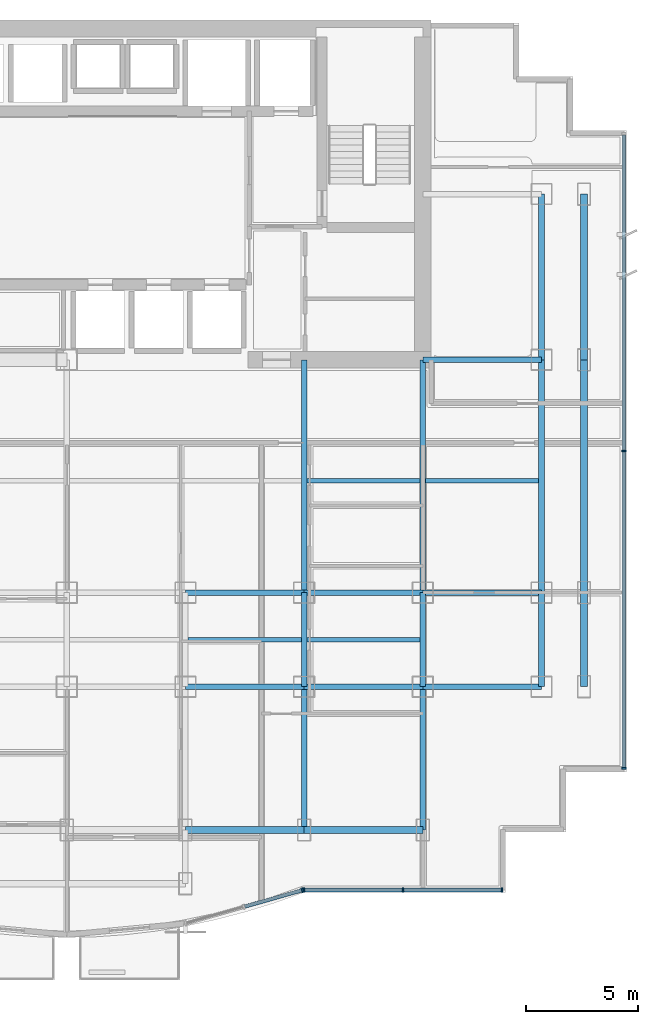
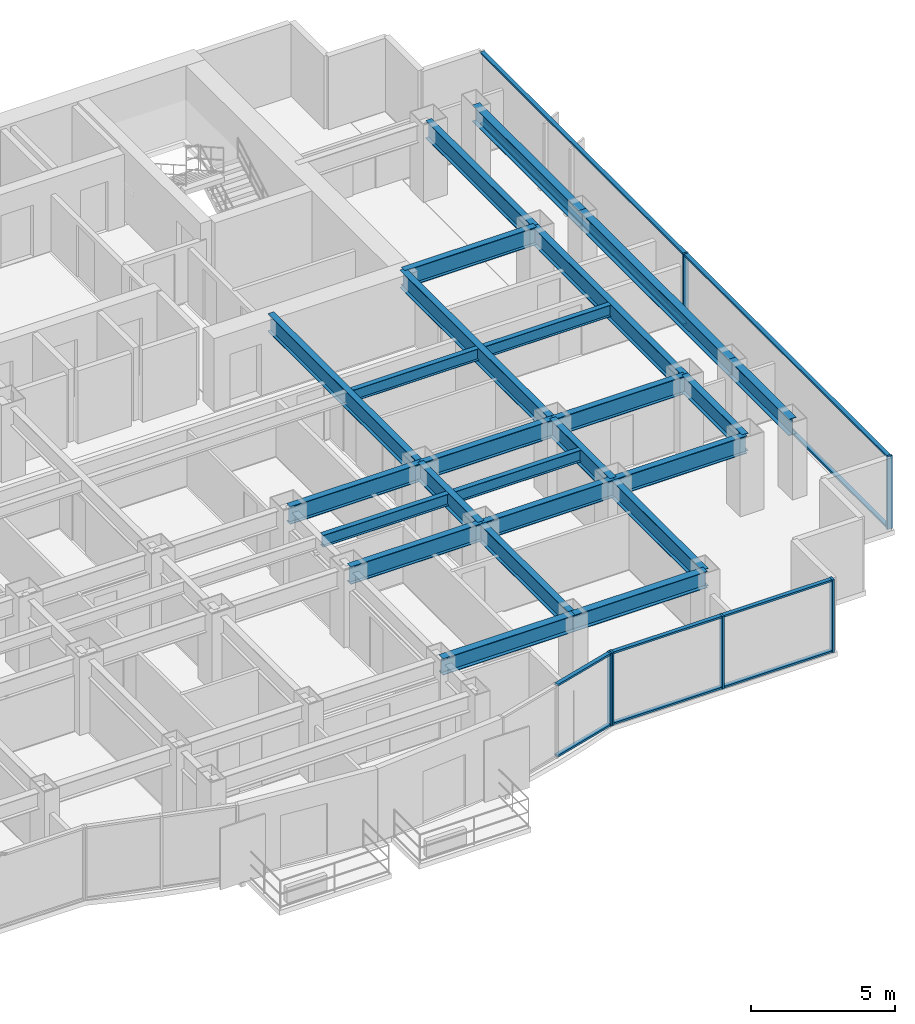
# One storey, part 3 of 12: 25 beams, 16 members, 3 elements without a shape of their own.
"""IFC4 building model written with IfcOpenShell, lengths in metres."""

import ifcopenshell
import ifcopenshell.guid

model = None  # the IFC model being written
_history = None  # IfcOwnerHistory: only IFC2X3 demands one
_inside = {}  # id of a spatial element -> (the spatial element, [elements in it])
_under = {}  # id of a project, library or spatial element -> (it, [spatial elements below it])
_declared = {}  # id of a project -> (the project, [libraries it declares])
_typed = {}  # id of a type object -> (the type object, [elements of that type])
_made_of = {}  # id of a material, layer set ... -> (it, [elements and type objects made of it])


def new_model(schema):
    """Start an empty IFC model of exactly this schema.

    Asked for "IFC4X3", IfcOpenShell would pick the latest addendum, in which some entities
    have other attributes; the version numbers below select the first issue.
    IFC2X3 requires an IfcOwnerHistory on every rooted entity: one is made here for all.
    """
    global model, _history
    if schema == "IFC4X3":
        model = ifcopenshell.file(schema_version=(4, 3, 0, 0))
    else:
        model = ifcopenshell.file(schema=schema)
    _inside.clear()
    _under.clear()
    _declared.clear()
    _typed.clear()
    _made_of.clear()
    _history = None
    if model.schema == "IFC2X3":
        org = make("IfcOrganization", Name="unknown")
        user = make(
            "IfcPersonAndOrganization",
            ThePerson=make("IfcPerson", FamilyName="unknown"),
            TheOrganization=org,
        )
        app = make(
            "IfcApplication",
            ApplicationDeveloper=org,
            Version="unknown",
            ApplicationFullName="unknown",
            ApplicationIdentifier="unknown",
        )
        _history = make(
            "IfcOwnerHistory",
            OwningUser=user,
            OwningApplication=app,
            ChangeAction="ADDED",
            CreationDate=0,
        )
    return model


def make(cls, **values):
    """One entity of the class cls with the attributes given. An attribute that is None is left unset."""
    return model.create_entity(
        cls, **{name: value for name, value in values.items() if value is not None}
    )


def rooted(cls, **values):
    """An entity with a GlobalId (a new one), such as an element, a storey or a relation."""
    return make(cls, GlobalId=ifcopenshell.guid.new(), OwnerHistory=_history, **values)


def si_unit(unit_type, name, prefix=None):
    """IfcSIUnit, for example si_unit("LENGTHUNIT", "METRE", prefix="MILLI")."""
    return make("IfcSIUnit", UnitType=unit_type, Prefix=prefix, Name=name)


def assignment(units):
    """IfcUnitAssignment: the units of a project."""
    return None if units is None else make("IfcUnitAssignment", Units=units)


def point(xyz):
    """IfcCartesianPoint."""
    return None if xyz is None else make("IfcCartesianPoint", Coordinates=xyz)


def direction(xyz):
    """IfcDirection."""
    return None if xyz is None else make("IfcDirection", DirectionRatios=xyz)


def frame(location, z_axis=None, x_axis=None):
    """IfcAxis2Placement3D, a coordinate frame: its origin and axes. An axis left out is left unset."""
    return make(
        "IfcAxis2Placement3D",
        Location=point(location),
        Axis=direction(z_axis),
        RefDirection=direction(x_axis),
    )


def frame_2d(location, x_axis=None):
    """IfcAxis2Placement2D, a coordinate frame in the plane: its origin and x axis."""
    return make(
        "IfcAxis2Placement2D", Location=point(location), RefDirection=direction(x_axis)
    )


def origin():
    """The frame at (0, 0, 0) with its axes left unset."""
    return frame((0.0, 0.0, 0.0))


def origin_2d():
    """The frame at (0, 0) in the plane with its x axis left unset."""
    return frame_2d((0.0, 0.0))


def place(relative_to, where):
    """IfcLocalPlacement: puts the frame where relative to a parent placement (None: the world)."""
    return make(
        "IfcLocalPlacement", PlacementRelTo=relative_to, RelativePlacement=where
    )


def context(
    kind, dimensions, precision=None, world=None, true_north=None, identifier=None
):
    """IfcGeometricRepresentationContext, for example the 3D "Model" context."""
    return make(
        "IfcGeometricRepresentationContext",
        ContextIdentifier=identifier,
        ContextType=kind,
        CoordinateSpaceDimension=dimensions,
        Precision=precision,
        WorldCoordinateSystem=world,
        TrueNorth=true_north,
    )


def subcontext(parent, identifier, kind, view, scale=None):
    """IfcGeometricRepresentationSubContext, for example "Body" below "Model"."""
    return make(
        "IfcGeometricRepresentationSubContext",
        ContextIdentifier=identifier,
        ContextType=kind,
        ParentContext=parent,
        TargetScale=scale,
        TargetView=view,
    )


def project(units=None, contexts=None):
    """IfcProject with its units and contexts."""
    return rooted(
        "IfcProject",
        Name="project",
        RepresentationContexts=contexts,
        UnitsInContext=assignment(units),
    )


def spatial(cls, under=None, at=None, **own):
    """A site, building, storey or space (cls), placed at a placement, below another one or the project."""
    s = rooted(cls, ObjectPlacement=at, **own)
    if under is not None:
        _under.setdefault(under.id(), (under, []))[1].append(s)
    return s


def profile(cls, at=None, kind="AREA", **sizes):
    """A parametric profile (cls). Its sizes go by their IFC names, for example OverallWidth=200.0."""
    return make(cls, ProfileType=kind, Position=at, **sizes)


def rectangle(**sizes):
    """IfcRectangleProfileDef."""
    return profile("IfcRectangleProfileDef", **sizes)


def i_section(**sizes):
    """IfcIShapeProfileDef."""
    return profile("IfcIShapeProfileDef", **sizes)


def extrude(swept, where, along, depth):
    """IfcExtrudedAreaSolid: the profile swept, set in the frame where, extruded along a direction by depth."""
    return make(
        "IfcExtrudedAreaSolid",
        SweptArea=swept,
        Position=where,
        ExtrudedDirection=direction(along),
        Depth=depth,
    )


def shape(context_of_items, identifier, shape_type, items):
    """IfcShapeRepresentation: the items that make up one representation, for example the "Body"."""
    return make(
        "IfcShapeRepresentation",
        ContextOfItems=context_of_items,
        RepresentationIdentifier=identifier,
        RepresentationType=shape_type,
        Items=items,
    )


def source(mapping_origin, context_of_items, identifier, shape_type, items):
    """IfcRepresentationMap: a shape defined once, which mapped items show again and again."""
    return make(
        "IfcRepresentationMap",
        MappingOrigin=mapping_origin,
        MappedRepresentation=shape(context_of_items, identifier, shape_type, items),
    )


def transform(
    local_origin,
    x_axis=None,
    y_axis=None,
    z_axis=None,
    scale=None,
    scale2=None,
    scale3=None,
    uniform=True,
):
    """IfcCartesianTransformationOperator3D, or its non-uniform kind. x_axis, y_axis, z_axis: its Axis1, 2, 3."""
    if uniform:
        return make(
            "IfcCartesianTransformationOperator3D",
            Axis1=direction(x_axis),
            Axis2=direction(y_axis),
            LocalOrigin=point(local_origin),
            Scale=scale,
            Axis3=direction(z_axis),
        )
    return make(
        "IfcCartesianTransformationOperator3DnonUniform",
        Axis1=direction(x_axis),
        Axis2=direction(y_axis),
        LocalOrigin=point(local_origin),
        Scale=scale,
        Axis3=direction(z_axis),
        Scale2=scale2,
        Scale3=scale3,
    )


def mapped(mapping_source, mapping_target):
    """IfcMappedItem: shows the shape of a source again, moved by a transform."""
    return make(
        "IfcMappedItem", MappingSource=mapping_source, MappingTarget=mapping_target
    )


def material(Name=None, Category=None):
    """IfcMaterial."""
    return make("IfcMaterial", Name=Name, Category=Category)


def layer(
    of_material, thickness, ventilated=None, Name=None, Category=None, Priority=None
):
    """IfcMaterialLayer: one layer of a wall or slab, of a material (None: an air gap)."""
    return make(
        "IfcMaterialLayer",
        Material=of_material,
        LayerThickness=thickness,
        IsVentilated=ventilated,
        Name=Name,
        Category=Category,
        Priority=Priority,
    )


def layer_set(layers, Name=None):
    """IfcMaterialLayerSet."""
    return make("IfcMaterialLayerSet", MaterialLayers=layers, LayerSetName=Name)


def material_profile(
    of_material, cross_section, Name=None, Category=None, Priority=None
):
    """IfcMaterialProfile: a cross section and its material."""
    return make(
        "IfcMaterialProfile",
        Name=Name,
        Material=of_material,
        Profile=cross_section,
        Priority=Priority,
        Category=Category,
    )


def profile_set(profiles, Name=None, composite=None):
    """IfcMaterialProfileSet."""
    return make(
        "IfcMaterialProfileSet",
        Name=Name,
        MaterialProfiles=profiles,
        CompositeProfile=composite,
    )


def made_of(thing, what):
    """Note that an element or type object is made of a material, layer set ...; save() writes the relation."""
    if what is not None:
        _made_of.setdefault(what.id(), (what, []))[1].append(thing)
    return thing


def type_object(cls, material=None, **own):
    """A type object (cls), such as IfcWallType, which elements share."""
    return made_of(rooted(cls, **own), material)


def element(
    cls,
    number,
    at=None,
    inside=None,
    cuts=None,
    type_object=None,
    material=None,
    context=None,
    identifier="Body",
    shape_type=None,
    held_by="IfcProductDefinitionShape",
    body=None,
    shapes=None,
    **own,
):
    """One element of the class cls, such as IfcWall. Its Tag is "e" and its number.

    at: its placement. inside: the storey or other place that contains it. cuts: it is an
    opening in that element (IfcRelVoidsElement). A single representation is given by context,
    identifier, shape_type and body (its items); several are given by shapes. held_by: the class
    of the entity that holds the representations. save() writes the other relations.
    """
    e = rooted(cls, Tag="e%d" % number, ObjectPlacement=at, **own)
    if body is not None:
        shapes = [shape(context, identifier, shape_type, body)]
    if shapes is not None:
        e.Representation = make(held_by, Representations=shapes)
    if inside is not None:
        _inside.setdefault(inside.id(), (inside, []))[1].append(e)
    if cuts is not None:
        rooted(
            "IfcRelVoidsElement", RelatingBuildingElement=cuts, RelatedOpeningElement=e
        )
    if type_object is not None:
        _typed.setdefault(type_object.id(), (type_object, []))[1].append(e)
    return made_of(e, material)


def aggregate(whole, parts):
    """IfcRelAggregates: a whole, such as a stair, and the parts it consists of."""
    return rooted("IfcRelAggregates", RelatingObject=whole, RelatedObjects=parts)


def save(model, path):
    """Write the relations noted so far, then the file.

    IfcRelAggregates (storeys below a building ...), IfcRelContainedInSpatialStructure (elements
    in a storey), IfcRelDefinesByType, IfcRelAssociatesMaterial and IfcRelDeclares: one each for
    every whole, place, type object, material and project.
    """
    for whole, parts in _under.values():
        aggregate(whole, parts)
    for where, things in _inside.values():
        rooted(
            "IfcRelContainedInSpatialStructure",
            RelatedElements=things,
            RelatingStructure=where,
        )
    for kind, things in _typed.values():
        rooted("IfcRelDefinesByType", RelatedObjects=things, RelatingType=kind)
    for what, things in _made_of.values():
        rooted("IfcRelAssociatesMaterial", RelatedObjects=things, RelatingMaterial=what)
    for by, libraries in _declared.values():
        rooted("IfcRelDeclares", RelatingContext=by, RelatedDefinitions=libraries)
    model.write(path)


model = new_model("IFC4")

# Units and contexts
model_context = context("Model", 3, precision=1e-05, world=origin(), true_north=direction((0.0, 1.0)))
body_context = subcontext(model_context, "Body", "Model", "MODEL_VIEW")
ifc_project = project(units=[si_unit("LENGTHUNIT", "METRE"), si_unit("AREAUNIT", "SQUARE_METRE"), si_unit("VOLUMEUNIT", "CUBIC_METRE"), si_unit("PLANEANGLEUNIT", "RADIAN"), si_unit("MASSUNIT", "GRAM", prefix="KILO")], contexts=[model_context])

# Site, building, storey
site_placement = place(None, origin())
site = spatial("IfcSite", under=ifc_project, at=site_placement, CompositionType="ELEMENT")
building_placement = place(site_placement, origin())
building = spatial("IfcBuilding", under=site, at=building_placement, Name="Qianlan Lanfeng Residences", CompositionType="ELEMENT")
storey_placement = place(building_placement, frame((0.0, 0.0, 121.300048828125)))
storey = spatial("IfcBuildingStorey", under=building, at=storey_placement, Name="L33", CompositionType="ELEMENT", Elevation=121.300048828125)

# Beams
ifc_material_1 = material(Name="Steel SN490B", Category="steel")
ifc_material_profile_1 = material_profile(ifc_material_1, i_section(OverallWidth=0.25, OverallDepth=0.75, WebThickness=0.013916015625, FlangeThickness=0.02490234375, at=origin_2d()), Name="H 750x250x14x25")
ifc_profile_set_1 = profile_set([ifc_material_profile_1], Name="Steel SN490B")
beam_type_1 = type_object("IfcBeamType", Name="G-850", PredefinedType="BEAM", material=ifc_profile_set_1)
beam_1_placement = place(storey_placement, frame((31.800048828125, 10.60009765625, 2.71484375), z_axis=(1.0, 0.0, 0.0), x_axis=(0.0, 1.0, 0.0)))
element("IfcBeam", 1, at=beam_1_placement, inside=storey, type_object=beam_type_1, Name="Structural beam G-850", PredefinedType="BEAM", context=body_context, shape_type="SweptSolid", body=[
    extrude(i_section(OverallWidth=0.25, OverallDepth=0.75, WebThickness=0.013916015625, FlangeThickness=0.02490234375, at=origin_2d()), origin(), (0.0, 0.0, 1.0), 5.300048828125),
])
beam_2_placement = place(storey_placement, frame((37.10009765625, 10.60009765625, 2.71484375), z_axis=(1.0, 0.0, 0.0), x_axis=(0.0, 1.0, 0.0)))
element("IfcBeam", 2, at=beam_2_placement, inside=storey, type_object=beam_type_1, Name="Structural beam G-850", PredefinedType="BEAM", context=body_context, shape_type="SweptSolid", body=[
    extrude(i_section(OverallWidth=0.25, OverallDepth=0.75, WebThickness=0.013916015625, FlangeThickness=0.02490234375, at=origin_2d()), origin(), (0.0, 0.0, 1.0), 5.2998046875),
])
for number, where, z_axis, x_axis, name in (
    (3, (42.39990234375, 10.60009765625, 2.71484375), (1.0, 0.0, 0.0), (0.0, 1.0, 0.0), "Structural beam G-850"),
    (4, (31.800048828125, 14.800048828125, 2.71484375), (1.0, 0.0, 0.0), (0.0, 1.0, 0.0), "Structural beam G-850"),
):
    element("IfcBeam", number, at=place(storey_placement, frame(where, z_axis=z_axis, x_axis=x_axis)), inside=storey, type_object=beam_type_1, Name=name, PredefinedType="BEAM", context=body_context, shape_type="SweptSolid", body=[
        extrude(i_section(OverallWidth=0.25, OverallDepth=0.75, WebThickness=0.013916015625, FlangeThickness=0.02490234375, at=origin_2d()), origin(), (0.0, 0.0, 1.0), 5.300048828125),
    ])
beam_3_placement = place(storey_placement, frame((37.10009765625, 14.800048828125, 2.71484375), z_axis=(1.0, 0.0, 0.0), x_axis=(0.0, 1.0, 0.0)))
element("IfcBeam", 5, at=beam_3_placement, inside=storey, type_object=beam_type_1, Name="Structural beam G-850", PredefinedType="BEAM", context=body_context, shape_type="SweptSolid", body=[
    extrude(i_section(OverallWidth=0.25, OverallDepth=0.75, WebThickness=0.013916015625, FlangeThickness=0.02490234375, at=origin_2d()), origin(), (0.0, 0.0, 1.0), 5.2998046875),
])
for number, where, z_axis, x_axis, name in (
    (6, (42.39990234375, 14.800048828125, 2.71484375), (1.0, 0.0, 0.0), (0.0, 1.0, 0.0), "Structural beam G-850"),
    (7, (42.39990234375, 25.199951171875, 2.71484375), (1.0, 0.0, 0.0), (0.0, 1.0, 0.0), "Structural beam G-850"),
):
    element("IfcBeam", number, at=place(storey_placement, frame(where, z_axis=z_axis, x_axis=x_axis)), inside=storey, type_object=beam_type_1, Name=name, PredefinedType="BEAM", context=body_context, shape_type="SweptSolid", body=[
        extrude(i_section(OverallWidth=0.25, OverallDepth=0.75, WebThickness=0.013916015625, FlangeThickness=0.02490234375, at=origin_2d()), origin(), (0.0, 0.0, 1.0), 5.300048828125),
    ])
beam_4_placement = place(storey_placement, frame((37.10009765625, 4.199951171875, 2.71484375), z_axis=(0.0, 1.0, 0.0), x_axis=(-1.0, 0.0, 0.0)))
element("IfcBeam", 8, at=beam_4_placement, inside=storey, type_object=beam_type_1, Name="Structural beam G-850", PredefinedType="BEAM", context=body_context, shape_type="SweptSolid", body=[
    extrude(i_section(OverallWidth=0.25, OverallDepth=0.75, WebThickness=0.013916015625, FlangeThickness=0.02490234375, at=origin_2d()), origin(), (0.0, 0.0, 1.0), 6.400146484375),
])
beam_5_placement = place(storey_placement, frame((37.10009765625, 10.60009765625, 2.71484375), z_axis=(0.0, 1.0, 0.0), x_axis=(-1.0, 0.0, 0.0)))
element("IfcBeam", 9, at=beam_5_placement, inside=storey, type_object=beam_type_1, Name="Structural beam G-850", PredefinedType="BEAM", context=body_context, shape_type="SweptSolid", body=[
    extrude(i_section(OverallWidth=0.25, OverallDepth=0.75, WebThickness=0.013916015625, FlangeThickness=0.02490234375, at=origin_2d()), origin(), (0.0, 0.0, 1.0), 4.199951171875),
])
beam_6_placement = place(storey_placement, frame((37.10009765625, 14.800048828125, 2.71484375), z_axis=(0.0, 1.0, 0.0), x_axis=(-1.0, 0.0, 0.0)))
element("IfcBeam", 10, at=beam_6_placement, inside=storey, type_object=beam_type_1, Name="Structural beam G-850", PredefinedType="BEAM", context=body_context, shape_type="SweptSolid", body=[
    extrude(i_section(OverallWidth=0.25, OverallDepth=0.75, WebThickness=0.013916015625, FlangeThickness=0.02490234375, at=origin_2d()), origin(), (0.0, 0.0, 1.0), 10.39990234375),
])
beam_7_placement = place(storey_placement, frame((42.39990234375, 4.199951171875, 2.71484375), z_axis=(0.0, 1.0, 0.0), x_axis=(-1.0, 0.0, 0.0)))
element("IfcBeam", 11, at=beam_7_placement, inside=storey, type_object=beam_type_1, Name="Structural beam G-850", PredefinedType="BEAM", context=body_context, shape_type="SweptSolid", body=[
    extrude(i_section(OverallWidth=0.25, OverallDepth=0.75, WebThickness=0.013916015625, FlangeThickness=0.02490234375, at=origin_2d()), origin(), (0.0, 0.0, 1.0), 6.400146484375),
])
beam_8_placement = place(storey_placement, frame((42.39990234375, 10.60009765625, 2.71484375), z_axis=(0.0, 1.0, 0.0), x_axis=(-1.0, 0.0, 0.0)))
element("IfcBeam", 12, at=beam_8_placement, inside=storey, type_object=beam_type_1, Name="Structural beam G-850", PredefinedType="BEAM", context=body_context, shape_type="SweptSolid", body=[
    extrude(i_section(OverallWidth=0.25, OverallDepth=0.75, WebThickness=0.013916015625, FlangeThickness=0.02490234375, at=origin_2d()), origin(), (0.0, 0.0, 1.0), 4.199951171875),
])
beam_9_placement = place(storey_placement, frame((42.39990234375, 14.800048828125, 2.71484375), z_axis=(0.0, 1.0, 0.0), x_axis=(-1.0, 0.0, 0.0)))
element("IfcBeam", 13, at=beam_9_placement, inside=storey, type_object=beam_type_1, Name="Structural beam G-850", PredefinedType="BEAM", context=body_context, shape_type="SweptSolid", body=[
    extrude(i_section(OverallWidth=0.25, OverallDepth=0.75, WebThickness=0.013916015625, FlangeThickness=0.02490234375, at=origin_2d()), origin(), (0.0, 0.0, 1.0), 10.39990234375),
])
beam_10_placement = place(storey_placement, frame((47.699951171875, 10.60009765625, 2.71484375), z_axis=(0.0, 1.0, 0.0), x_axis=(-1.0, 0.0, 0.0)))
element("IfcBeam", 14, at=beam_10_placement, inside=storey, type_object=beam_type_1, Name="Structural beam G-850", PredefinedType="BEAM", context=body_context, shape_type="SweptSolid", body=[
    extrude(i_section(OverallWidth=0.25, OverallDepth=0.75, WebThickness=0.013916015625, FlangeThickness=0.02490234375, at=origin_2d()), origin(), (0.0, 0.0, 1.0), 4.199951171875),
])
beam_11_placement = place(storey_placement, frame((47.699951171875, 14.800048828125, 2.71484375), z_axis=(0.0, 1.0, 0.0), x_axis=(-1.0, 0.0, 0.0)))
element("IfcBeam", 15, at=beam_11_placement, inside=storey, type_object=beam_type_1, Name="Structural beam G-850", PredefinedType="BEAM", context=body_context, shape_type="SweptSolid", body=[
    extrude(i_section(OverallWidth=0.25, OverallDepth=0.75, WebThickness=0.013916015625, FlangeThickness=0.02490234375, at=origin_2d()), origin(), (0.0, 0.0, 1.0), 10.39990234375),
])
beam_12_placement = place(storey_placement, frame((47.699951171875, 25.199951171875, 2.71484375), z_axis=(0.0, 1.0, 0.0), x_axis=(-1.0, 0.0, 0.0)))
element("IfcBeam", 16, at=beam_12_placement, inside=storey, type_object=beam_type_1, Name="Structural beam G-850", PredefinedType="BEAM", context=body_context, shape_type="SweptSolid", body=[
    extrude(i_section(OverallWidth=0.25, OverallDepth=0.75, WebThickness=0.013916015625, FlangeThickness=0.02490234375, at=origin_2d()), origin(), (0.0, 0.0, 1.0), 7.400146484375),
])
ifc_material_profile_2 = material_profile(ifc_material_1, i_section(OverallWidth=0.199951171875, OverallDepth=0.5, WebThickness=0.010009765625, FlangeThickness=0.01611328125, at=origin_2d()), Name="H 500x200x10x16")
ifc_profile_set_2 = profile_set([ifc_material_profile_2], Name="Steel SN490B")
beam_type_2 = type_object("IfcBeamType", Name="J-500", PredefinedType="JOIST", material=ifc_profile_set_2)
beam_13_placement = place(storey_placement, frame((31.925048828125, 12.699951171875, 2.83984375), z_axis=(1.0, 0.0, 0.0), x_axis=(0.0, 1.0, 0.0)))
element("IfcBeam", 17, at=beam_13_placement, inside=storey, type_object=beam_type_2, Name="Structural beam J-500", PredefinedType="JOIST", context=body_context, shape_type="SweptSolid", body=[
    extrude(i_section(OverallWidth=0.199951171875, OverallDepth=0.5, WebThickness=0.010009765625, FlangeThickness=0.01611328125, at=origin_2d()), origin(), (0.0, 0.0, 1.0), 5.050048828125),
])
for number, where, z_axis, x_axis, name in (
    (18, (37.22509765625, 12.699951171875, 2.83984375), (1.0, 0.0, 0.0), (0.0, 1.0, 0.0), "Structural beam J-500"),
    (19, (37.22509765625, 19.800048828125, 2.83984375), (1.0, 0.0, 0.0), (0.0, 1.0, 0.0), "Structural beam J-500"),
):
    element("IfcBeam", number, at=place(storey_placement, frame(where, z_axis=z_axis, x_axis=x_axis)), inside=storey, type_object=beam_type_2, Name=name, PredefinedType="JOIST", context=body_context, shape_type="SweptSolid", body=[
        extrude(i_section(OverallWidth=0.199951171875, OverallDepth=0.5, WebThickness=0.010009765625, FlangeThickness=0.01611328125, at=origin_2d()), origin(), (0.0, 0.0, 1.0), 5.0498046875),
    ])
beam_14_placement = place(storey_placement, frame((42.52490234375, 19.800048828125, 2.83984375), z_axis=(1.0, 0.0, 0.0), x_axis=(0.0, 1.0, 0.0)))
element("IfcBeam", 20, at=beam_14_placement, inside=storey, type_object=beam_type_2, Name="Structural beam J-500", PredefinedType="JOIST", context=body_context, shape_type="SweptSolid", body=[
    extrude(i_section(OverallWidth=0.199951171875, OverallDepth=0.5, WebThickness=0.010009765625, FlangeThickness=0.01611328125, at=origin_2d()), origin(), (0.0, 0.0, 1.0), 5.050048828125),
])
ifc_material_profile_3 = material_profile(ifc_material_1, i_section(OverallWidth=0.300048828125, OverallDepth=0.699951171875, WebThickness=0.012939453125, FlangeThickness=0.02392578125, at=origin_2d()), Name="H 700x300x13x24")
ifc_profile_set_3 = profile_set([ifc_material_profile_3], Name="Steel SN490B")
beam_type_3 = type_object("IfcBeamType", Name="SG-750", PredefinedType="SPANDREL", material=ifc_profile_set_3)
beam_15_placement = place(storey_placement, frame((31.800048828125, 4.199951171875, 2.739990234375), z_axis=(1.0, 0.0, 0.0), x_axis=(0.0, 1.0, 0.0)))
element("IfcBeam", 21, at=beam_15_placement, inside=storey, type_object=beam_type_3, Name="Structural beam SG-750", PredefinedType="SPANDREL", context=body_context, shape_type="SweptSolid", body=[
    extrude(i_section(OverallWidth=0.300048828125, OverallDepth=0.699951171875, WebThickness=0.012939453125, FlangeThickness=0.02392578125, at=origin_2d()), origin(), (0.0, 0.0, 1.0), 5.300048828125),
])
beam_16_placement = place(storey_placement, frame((37.10009765625, 4.199951171875, 2.739990234375), z_axis=(1.0, 0.0, 0.0), x_axis=(0.0, 1.0, 0.0)))
element("IfcBeam", 22, at=beam_16_placement, inside=storey, type_object=beam_type_3, Name="Structural beam SG-750", PredefinedType="SPANDREL", context=body_context, shape_type="SweptSolid", body=[
    extrude(i_section(OverallWidth=0.300048828125, OverallDepth=0.699951171875, WebThickness=0.012939453125, FlangeThickness=0.02392578125, at=origin_2d()), origin(), (0.0, 0.0, 1.0), 5.2998046875),
])
beam_17_placement = place(storey_placement, frame((49.60009765625, 10.60009765625, 2.739990234375), z_axis=(0.0, 1.0, 0.0), x_axis=(-1.0, 0.0, 0.0)))
element("IfcBeam", 23, at=beam_17_placement, inside=storey, type_object=beam_type_3, Name="Structural beam SG-750", PredefinedType="SPANDREL", context=body_context, shape_type="SweptSolid", body=[
    extrude(i_section(OverallWidth=0.300048828125, OverallDepth=0.699951171875, WebThickness=0.012939453125, FlangeThickness=0.02392578125, at=origin_2d()), origin(), (0.0, 0.0, 1.0), 4.199951171875),
])
beam_18_placement = place(storey_placement, frame((49.60009765625, 14.800048828125, 2.739990234375), z_axis=(0.0, 1.0, 0.0), x_axis=(-1.0, 0.0, 0.0)))
element("IfcBeam", 24, at=beam_18_placement, inside=storey, type_object=beam_type_3, Name="Structural beam SG-750", PredefinedType="SPANDREL", context=body_context, shape_type="SweptSolid", body=[
    extrude(i_section(OverallWidth=0.300048828125, OverallDepth=0.699951171875, WebThickness=0.012939453125, FlangeThickness=0.02392578125, at=origin_2d()), origin(), (0.0, 0.0, 1.0), 10.39990234375),
])
beam_19_placement = place(storey_placement, frame((49.60009765625, 25.199951171875, 2.739990234375), z_axis=(0.0, 1.0, 0.0), x_axis=(-1.0, 0.0, 0.0)))
element("IfcBeam", 25, at=beam_19_placement, inside=storey, type_object=beam_type_3, Name="Structural beam SG-750", PredefinedType="SPANDREL", context=body_context, shape_type="SweptSolid", body=[
    extrude(i_section(OverallWidth=0.300048828125, OverallDepth=0.699951171875, WebThickness=0.012939453125, FlangeThickness=0.02392578125, at=origin_2d()), origin(), (0.0, 0.0, 1.0), 7.400146484375),
])

# Curtain wall, members
ifc_material_2 = material(Name="Anodised Bronze Aluminium 6063-T6", Category="aluminium")
ifc_layer = layer(ifc_material_2, 0.219970703125)
ifc_layer_set = layer_set([ifc_layer], Name="Anodised Bronze Aluminium 6063-T6")
curtain_wall_type = type_object("IfcCurtainWallType", Name="CW-03", PredefinedType="NOTDEFINED", material=ifc_layer_set)
curtain_wall_1_placement = place(storey_placement, origin())
curtain_wall_1 = element("IfcCurtainWall", 26, at=curtain_wall_1_placement, inside=storey, type_object=curtain_wall_type, Name="L33 Unitised Curtain Wall CWR-L33-04 (CW-03)", PredefinedType="NOTDEFINED")
ifc_material_profile_4 = material_profile(ifc_material_2, rectangle(XDim=0.080078125, YDim=0.159912109375, at=origin_2d()), Name="ALU TRANSOM 80x160")
ifc_profile_set_4 = profile_set([ifc_material_profile_4], Name="Anodised Bronze Aluminium 6063-T6")
member_type_1 = type_object("IfcMemberType", Name="CWT-180", PredefinedType="USERDEFINED", material=ifc_profile_set_4)
shared_shape_1 = source(origin(), body_context, "Body", "SweptSolid", [
    extrude(rectangle(XDim=0.080078125, YDim=0.159912109375, at=origin_2d()), origin(), (0.0, 0.0, 1.0), 4.34033203125),
])
member_1_placement = place(storey_placement, frame((41.5595703125, 1.52001953125, 0.0400390625), z_axis=(1.0, 0.0, 0.0), x_axis=(0.0, 0.0, 1.0)))
member_1 = element("IfcMember", 27, at=member_1_placement, type_object=member_type_1, Name="CWR-L33-04 Transom 2-BOT", ObjectType="TRANSOM", PredefinedType="USERDEFINED", context=body_context, shape_type="MappedRepresentation", body=[
    mapped(shared_shape_1, transform((0.0, 0.0, 0.0), scale=1.0)),
])
member_2_placement = place(storey_placement, frame((41.5595703125, 1.52001953125, 3.050048828125), z_axis=(1.0, 0.0, 0.0), x_axis=(0.0, 0.0, 1.0)))
member_2 = element("IfcMember", 28, at=member_2_placement, type_object=member_type_1, Name="CWR-L33-04 Transom 2-TOP", ObjectType="TRANSOM", PredefinedType="USERDEFINED", context=body_context, shape_type="MappedRepresentation", body=[
    mapped(shared_shape_1, transform((0.0, 0.0, 0.0), scale=1.0)),
])
shared_shape_2 = source(origin(), body_context, "Body", "SweptSolid", [
    extrude(rectangle(XDim=0.080078125, YDim=0.159912109375, at=origin_2d()), origin(), (0.0, 0.0, 1.0), 4.340576171875),
])
member_3_placement = place(storey_placement, frame((37.138916015625, 1.52001953125, 0.0400390625), z_axis=(1.0, 0.0, 0.0), x_axis=(0.0, 0.0, 1.0)))
member_3 = element("IfcMember", 29, at=member_3_placement, type_object=member_type_1, Name="CWR-L33-04 Transom 1-BOT", ObjectType="TRANSOM", PredefinedType="USERDEFINED", context=body_context, shape_type="MappedRepresentation", body=[
    mapped(shared_shape_2, transform((0.0, 0.0, 0.0), scale=1.0)),
])
member_4_placement = place(storey_placement, frame((37.138916015625, 1.52001953125, 3.050048828125), z_axis=(1.0, 0.0, 0.0), x_axis=(0.0, 0.0, 1.0)))
member_4 = element("IfcMember", 30, at=member_4_placement, type_object=member_type_1, Name="CWR-L33-04 Transom 1-TOP", ObjectType="TRANSOM", PredefinedType="USERDEFINED", context=body_context, shape_type="MappedRepresentation", body=[
    mapped(shared_shape_2, transform((0.0, 0.0, 0.0), scale=1.0)),
])

curtain_wall_2_placement = place(storey_placement, origin())
curtain_wall_2 = element("IfcCurtainWall", 31, at=curtain_wall_2_placement, inside=storey, type_object=curtain_wall_type, Name="L33 Unitised Curtain Wall CWR-L33-03 (CW-03)", PredefinedType="NOTDEFINED")
shared_shape_3 = source(origin(), body_context, "Body", "SweptSolid", [
    extrude(rectangle(XDim=0.080078125, YDim=0.159912109375, at=origin_2d()), origin(), (0.0, 0.0, 1.0), 2.63037109375),
])
member_5_placement = place(storey_placement, frame((34.451904296875, 0.77978515625, 0.0400390625), z_axis=(0.961967513886, 0.273163874312, 0.0), x_axis=(0.0, 0.0, 1.0)))
member_5 = element("IfcMember", 32, at=member_5_placement, type_object=member_type_1, Name="CWR-L33-03 Transom 2-BOT", ObjectType="TRANSOM", PredefinedType="USERDEFINED", context=body_context, shape_type="MappedRepresentation", body=[
    mapped(shared_shape_3, transform((0.0, 0.0, 0.0), scale=1.0)),
])
member_6_placement = place(storey_placement, frame((34.451904296875, 0.77978515625, 3.050048828125), z_axis=(0.961967513886, 0.273163874312, 0.0), x_axis=(0.0, 0.0, 1.0)))
member_6 = element("IfcMember", 33, at=member_6_placement, type_object=member_type_1, Name="CWR-L33-03 Transom 2-TOP", ObjectType="TRANSOM", PredefinedType="USERDEFINED", context=body_context, shape_type="MappedRepresentation", body=[
    mapped(shared_shape_3, transform((0.0, 0.0, 0.0), scale=1.0)),
])

curtain_wall_3_placement = place(storey_placement, origin())
curtain_wall_3 = element("IfcCurtainWall", 34, at=curtain_wall_3_placement, inside=storey, type_object=curtain_wall_type, Name="L33 Unitised Curtain Wall CWR-L33-05 (CW-03)", PredefinedType="NOTDEFINED")
shared_shape_4 = source(origin(), body_context, "Body", "SweptSolid", [
    extrude(rectangle(XDim=0.080078125, YDim=0.159912109375, at=origin_2d()), origin(), (0.0, 0.0, 1.0), 14.0849609375),
])
member_7_placement = place(storey_placement, frame((51.3798828125, 7.0, 0.0400390625), z_axis=(0.0, 1.0, 0.0), x_axis=(0.0, 0.0, 1.0)))
member_7 = element("IfcMember", 35, at=member_7_placement, type_object=member_type_1, Name="CWR-L33-05 Transom 1-BOT", ObjectType="TRANSOM", PredefinedType="USERDEFINED", context=body_context, shape_type="MappedRepresentation", body=[
    mapped(shared_shape_4, transform((0.0, 0.0, 0.0), scale=1.0)),
])
member_8_placement = place(storey_placement, frame((51.3798828125, 7.0, 3.050048828125), z_axis=(0.0, 1.0, 0.0), x_axis=(0.0, 0.0, 1.0)))
member_8 = element("IfcMember", 36, at=member_8_placement, type_object=member_type_1, Name="CWR-L33-05 Transom 1-TOP", ObjectType="TRANSOM", PredefinedType="USERDEFINED", context=body_context, shape_type="MappedRepresentation", body=[
    mapped(shared_shape_4, transform((0.0, 0.0, 0.0), scale=1.0)),
])
member_9_placement = place(storey_placement, frame((51.3798828125, 21.1650390625, 0.0400390625), z_axis=(0.0, 1.0, 0.0), x_axis=(0.0, 0.0, 1.0)))
member_9 = element("IfcMember", 37, at=member_9_placement, type_object=member_type_1, Name="CWR-L33-05 Transom 2-BOT", ObjectType="TRANSOM", PredefinedType="USERDEFINED", context=body_context, shape_type="MappedRepresentation", body=[
    mapped(shared_shape_4, transform((0.0, 0.0, 0.0), scale=1.0)),
])
member_10_placement = place(storey_placement, frame((51.3798828125, 21.1650390625, 3.050048828125), z_axis=(0.0, 1.0, 0.0), x_axis=(0.0, 0.0, 1.0)))
member_10 = element("IfcMember", 38, at=member_10_placement, type_object=member_type_1, Name="CWR-L33-05 Transom 2-TOP", ObjectType="TRANSOM", PredefinedType="USERDEFINED", context=body_context, shape_type="MappedRepresentation", body=[
    mapped(shared_shape_4, transform((0.0, 0.0, 0.0), scale=1.0)),
])

# Member
ifc_material_profile_5 = material_profile(ifc_material_2, rectangle(XDim=0.080078125, YDim=0.2099609375, at=origin_2d()), Name="ALU MULLION 80x210")
ifc_profile_set_5 = profile_set([ifc_material_profile_5], Name="Anodised Bronze Aluminium 6063-T6")
member_type_2 = type_object("IfcMemberType", Name="CWM-220", PredefinedType="MULLION", material=ifc_profile_set_5)
shared_shape_5 = source(origin(), body_context, "Body", "SweptSolid", [
    extrude(rectangle(XDim=0.080078125, YDim=0.2099609375, at=origin_2d()), origin(), (0.0, 0.0, 1.0), 3.08984375),
])
member_11_placement = place(storey_placement, frame((37.0205078125, 1.509033203125, 0.0), z_axis=(0.0, 0.0, 1.0), x_axis=(0.961989074302, 0.273087936247, 0.0)))
member_11 = element("IfcMember", 39, at=member_11_placement, type_object=member_type_2, Name="CWR-L33-03 Mullion 3", PredefinedType="MULLION", context=body_context, shape_type="MappedRepresentation", body=[
    mapped(shared_shape_5, transform((0.0, 0.0, 0.0), scale=1.0)),
])

aggregate(curtain_wall_2, [member_11, member_5, member_6])

member_12_placement = place(storey_placement, frame((37.09912109375, 1.52001953125, 0.0), z_axis=(0.0, 0.0, 1.0), x_axis=(1.0, 0.0, 0.0)))
member_12 = element("IfcMember", 40, at=member_12_placement, type_object=member_type_2, Name="CWR-L33-04 Mullion 1", PredefinedType="MULLION", context=body_context, shape_type="MappedRepresentation", body=[
    mapped(shared_shape_5, transform((0.0, 0.0, 0.0), scale=1.0)),
])

member_13_placement = place(storey_placement, frame((41.51953125, 1.52001953125, 0.0), z_axis=(0.0, 0.0, 1.0), x_axis=(1.0, 0.0, 0.0)))
member_13 = element("IfcMember", 41, at=member_13_placement, type_object=member_type_2, Name="CWR-L33-04 Mullion 2", PredefinedType="MULLION", context=body_context, shape_type="MappedRepresentation", body=[
    mapped(shared_shape_5, transform((0.0, 0.0, 0.0), scale=1.0)),
])

member_14_placement = place(storey_placement, frame((45.93994140625, 1.52001953125, 0.0), z_axis=(0.0, 0.0, 1.0), x_axis=(1.0, 0.0, 0.0)))
member_14 = element("IfcMember", 42, at=member_14_placement, type_object=member_type_2, Name="CWR-L33-04 Mullion 3", PredefinedType="MULLION", context=body_context, shape_type="MappedRepresentation", body=[
    mapped(shared_shape_5, transform((0.0, 0.0, 0.0), scale=1.0)),
])

aggregate(curtain_wall_1, [member_12, member_13, member_14, member_3, member_4, member_1, member_2])

member_15_placement = place(storey_placement, frame((51.3798828125, 6.9599609375, 0.0), z_axis=(0.0, 0.0, 1.0), x_axis=(0.0, 1.0, 0.0)))
member_15 = element("IfcMember", 43, at=member_15_placement, type_object=member_type_2, Name="CWR-L33-05 Mullion 1", PredefinedType="MULLION", context=body_context, shape_type="MappedRepresentation", body=[
    mapped(shared_shape_5, transform((0.0, 0.0, 0.0), scale=1.0)),
])

member_16_placement = place(storey_placement, frame((51.3798828125, 21.125, 0.0), z_axis=(0.0, 0.0, 1.0), x_axis=(0.0, 1.0, 0.0)))
member_16 = element("IfcMember", 44, at=member_16_placement, type_object=member_type_2, Name="CWR-L33-05 Mullion 2", PredefinedType="MULLION", context=body_context, shape_type="MappedRepresentation", body=[
    mapped(shared_shape_5, transform((0.0, 0.0, 0.0), scale=1.0)),
])

aggregate(curtain_wall_3, [member_15, member_16, member_7, member_8, member_9, member_10])

save(model, "model.ifc")
